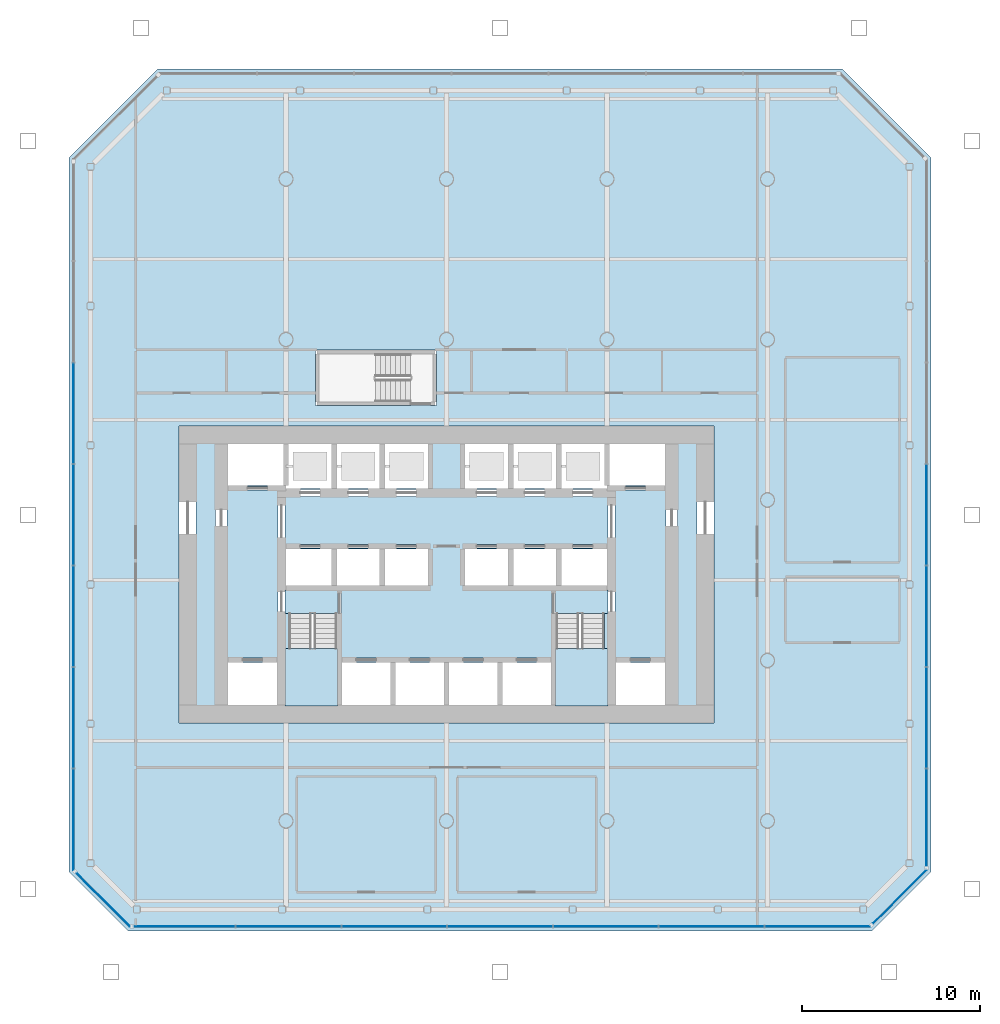
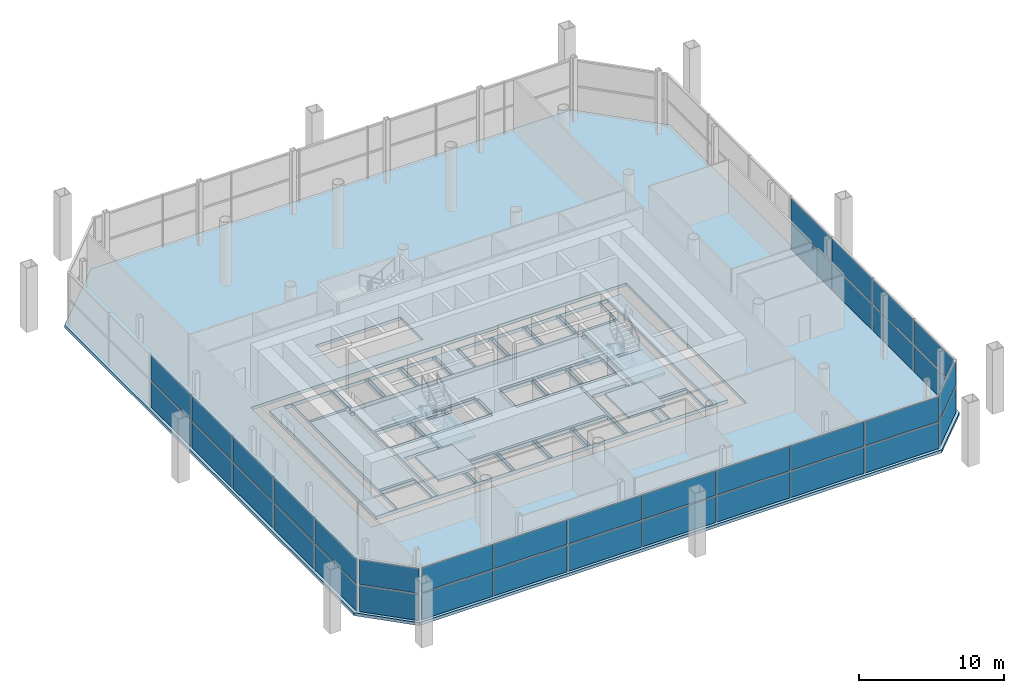
# One storey, part 7 of 13: 36 plates, 8 slabs, 7 elements without a shape of their own.
"""IFC4 building model written with IfcOpenShell, lengths in metres."""

from ifc_helpers import new_model, si_unit, direction, frame, origin, origin_2d, place, context, subcontext, project, spatial, polyline, rectangle, outline, extrude, material, layer, layer_set, type_object, element, aggregate, save


model = new_model("IFC4")

# Units and contexts
model_context = context("Model", 3, precision=1e-05, world=origin(), true_north=direction((0.0, 1.0)))
body_context = subcontext(model_context, "Body", "Model", "MODEL_VIEW")
ifc_project = project(units=[si_unit("LENGTHUNIT", "METRE"), si_unit("AREAUNIT", "SQUARE_METRE"), si_unit("VOLUMEUNIT", "CUBIC_METRE"), si_unit("PLANEANGLEUNIT", "RADIAN"), si_unit("MASSUNIT", "GRAM", prefix="KILO")], contexts=[model_context])

# Site, building, storey
site_placement = place(None, origin())
site = spatial("IfcSite", under=ifc_project, at=site_placement, CompositionType="ELEMENT")
building_placement = place(site_placement, origin())
building = spatial("IfcBuilding", under=site, at=building_placement, Name="Tskaro Facet Tower", CompositionType="ELEMENT")
storey_placement = place(building_placement, frame((0.0, 0.0, 108.89990234375)))
storey = spatial("IfcBuildingStorey", under=building, at=storey_placement, Name="L26", CompositionType="ELEMENT", Elevation=108.89990234375)

# Curtain wall, plates
ifc_material_1 = material(Name="Bronze anodised aluminium 6063-T6", Category="aluminium")
curtain_wall_type = type_object("IfcCurtainWallType", Name="Bronze sky lobby curtain wall (FW4)", PredefinedType="NOTDEFINED", material=ifc_material_1)
curtain_wall_1_placement = place(storey_placement, origin())
curtain_wall_1 = element("IfcCurtainWall", 1, at=curtain_wall_1_placement, inside=storey, type_object=curtain_wall_type, Name="FW4 south facet L26", PredefinedType="NOTDEFINED")
ifc_material_2 = material(Name="Clear low-iron glass", Category="glass")
ifc_layer_1 = layer(ifc_material_2, 0.0380859375, Name="Clear low-iron glass")
ifc_layer_set_1 = layer_set([ifc_layer_1], Name="Clear low-iron glass")
plate_type = type_object("IfcPlateType", Name="FW4 bronze-tinted unit glazing 38", PredefinedType="CURTAIN_PANEL", material=ifc_layer_set_1)
plate_1_placement = place(storey_placement, frame((-14.70166015625, -23.9150390625, 0.0), z_axis=(0.0, 0.0, 1.0), x_axis=(1.0, 0.0, 0.0)))
plate_1 = element("IfcPlate", 2, at=plate_1_placement, type_object=plate_type, Name="FW4 south glazing 1.1", PredefinedType="CURTAIN_PANEL", context=body_context, shape_type="SweptSolid", body=[
    extrude(rectangle(XDim=5.670654296875, YDim=0.0380859375, at=origin_2d()), origin(), (0.0, 0.0, 1.0), 2.18505859375),
])
plate_2_placement = place(storey_placement, frame((-14.70166015625, -23.9150390625, 2.30517578125), z_axis=(0.0, 0.0, 1.0), x_axis=(1.0, 0.0, 0.0)))
plate_2 = element("IfcPlate", 3, at=plate_2_placement, type_object=plate_type, Name="FW4 south glazing 1.2", PredefinedType="CURTAIN_PANEL", context=body_context, shape_type="SweptSolid", body=[
    extrude(rectangle(XDim=5.670654296875, YDim=0.0380859375, at=origin_2d()), origin(), (0.0, 0.0, 1.0), 2.06494140625),
])
plate_3_placement = place(storey_placement, frame((-8.861083984375, -23.9150390625, 0.0), z_axis=(0.0, 0.0, 1.0), x_axis=(1.0, 0.0, 0.0)))
plate_3 = element("IfcPlate", 4, at=plate_3_placement, type_object=plate_type, Name="FW4 south glazing 2.1", PredefinedType="CURTAIN_PANEL", context=body_context, shape_type="SweptSolid", body=[
    extrude(rectangle(XDim=5.8505859375, YDim=0.0380859375, at=origin_2d()), origin(), (0.0, 0.0, 1.0), 2.18505859375),
])
plate_4_placement = place(storey_placement, frame((-8.861083984375, -23.9150390625, 2.30517578125), z_axis=(0.0, 0.0, 1.0), x_axis=(1.0, 0.0, 0.0)))
plate_4 = element("IfcPlate", 5, at=plate_4_placement, type_object=plate_type, Name="FW4 south glazing 2.2", PredefinedType="CURTAIN_PANEL", context=body_context, shape_type="SweptSolid", body=[
    extrude(rectangle(XDim=5.8505859375, YDim=0.0380859375, at=origin_2d()), origin(), (0.0, 0.0, 1.0), 2.06494140625),
])
plate_5_placement = place(storey_placement, frame((-2.9306640625, -23.9150390625, 0.0), z_axis=(0.0, 0.0, 1.0), x_axis=(1.0, 0.0, 0.0)))
plate_5 = element("IfcPlate", 6, at=plate_5_placement, type_object=plate_type, Name="FW4 south glazing 3.1", PredefinedType="CURTAIN_PANEL", context=body_context, shape_type="SweptSolid", body=[
    extrude(rectangle(XDim=5.8505859375, YDim=0.0380859375, at=origin_2d()), origin(), (0.0, 0.0, 1.0), 2.18505859375),
])
plate_6_placement = place(storey_placement, frame((-2.9306640625, -23.9150390625, 2.30517578125), z_axis=(0.0, 0.0, 1.0), x_axis=(1.0, 0.0, 0.0)))
plate_6 = element("IfcPlate", 7, at=plate_6_placement, type_object=plate_type, Name="FW4 south glazing 3.2", PredefinedType="CURTAIN_PANEL", context=body_context, shape_type="SweptSolid", body=[
    extrude(rectangle(XDim=5.8505859375, YDim=0.0380859375, at=origin_2d()), origin(), (0.0, 0.0, 1.0), 2.06494140625),
])
plate_7_placement = place(storey_placement, frame((3.0, -23.9150390625, 0.0), z_axis=(0.0, 0.0, 1.0), x_axis=(1.0, 0.0, 0.0)))
plate_7 = element("IfcPlate", 8, at=plate_7_placement, type_object=plate_type, Name="FW4 south glazing 4.1", PredefinedType="CURTAIN_PANEL", context=body_context, shape_type="SweptSolid", body=[
    extrude(rectangle(XDim=5.8505859375, YDim=0.0380859375, at=origin_2d()), origin(), (0.0, 0.0, 1.0), 2.18505859375),
])
plate_8_placement = place(storey_placement, frame((3.0, -23.9150390625, 2.30517578125), z_axis=(0.0, 0.0, 1.0), x_axis=(1.0, 0.0, 0.0)))
plate_8 = element("IfcPlate", 9, at=plate_8_placement, type_object=plate_type, Name="FW4 south glazing 4.2", PredefinedType="CURTAIN_PANEL", context=body_context, shape_type="SweptSolid", body=[
    extrude(rectangle(XDim=5.8505859375, YDim=0.0380859375, at=origin_2d()), origin(), (0.0, 0.0, 1.0), 2.06494140625),
])
plate_9_placement = place(storey_placement, frame((8.9306640625, -23.9150390625, 0.0), z_axis=(0.0, 0.0, 1.0), x_axis=(1.0, 0.0, 0.0)))
plate_9 = element("IfcPlate", 10, at=plate_9_placement, type_object=plate_type, Name="FW4 south glazing 5.1", PredefinedType="CURTAIN_PANEL", context=body_context, shape_type="SweptSolid", body=[
    extrude(rectangle(XDim=5.8505859375, YDim=0.0380859375, at=origin_2d()), origin(), (0.0, 0.0, 1.0), 2.18505859375),
])
plate_10_placement = place(storey_placement, frame((8.9306640625, -23.9150390625, 2.30517578125), z_axis=(0.0, 0.0, 1.0), x_axis=(1.0, 0.0, 0.0)))
plate_10 = element("IfcPlate", 11, at=plate_10_placement, type_object=plate_type, Name="FW4 south glazing 5.2", PredefinedType="CURTAIN_PANEL", context=body_context, shape_type="SweptSolid", body=[
    extrude(rectangle(XDim=5.8505859375, YDim=0.0380859375, at=origin_2d()), origin(), (0.0, 0.0, 1.0), 2.06494140625),
])
plate_11_placement = place(storey_placement, frame((14.861083984375, -23.9150390625, 0.0), z_axis=(0.0, 0.0, 1.0), x_axis=(1.0, 0.0, 0.0)))
plate_11 = element("IfcPlate", 12, at=plate_11_placement, type_object=plate_type, Name="FW4 south glazing 6.1", PredefinedType="CURTAIN_PANEL", context=body_context, shape_type="SweptSolid", body=[
    extrude(rectangle(XDim=5.8505859375, YDim=0.0380859375, at=origin_2d()), origin(), (0.0, 0.0, 1.0), 2.18505859375),
])
plate_12_placement = place(storey_placement, frame((14.861083984375, -23.9150390625, 2.30517578125), z_axis=(0.0, 0.0, 1.0), x_axis=(1.0, 0.0, 0.0)))
plate_12 = element("IfcPlate", 13, at=plate_12_placement, type_object=plate_type, Name="FW4 south glazing 6.2", PredefinedType="CURTAIN_PANEL", context=body_context, shape_type="SweptSolid", body=[
    extrude(rectangle(XDim=5.8505859375, YDim=0.0380859375, at=origin_2d()), origin(), (0.0, 0.0, 1.0), 2.06494140625),
])
plate_13_placement = place(storey_placement, frame((20.811767578125, -23.9150390625, 0.0), z_axis=(0.0, 0.0, 1.0), x_axis=(1.0, 0.0, 0.0)))
plate_13 = element("IfcPlate", 14, at=plate_13_placement, type_object=plate_type, Name="FW4 south glazing 7.1", PredefinedType="CURTAIN_PANEL", context=body_context, shape_type="SweptSolid", body=[
    extrude(rectangle(XDim=5.890625, YDim=0.0380859375, at=origin_2d()), origin(), (0.0, 0.0, 1.0), 2.18505859375),
])
plate_14_placement = place(storey_placement, frame((20.811767578125, -23.9150390625, 2.30517578125), z_axis=(0.0, 0.0, 1.0), x_axis=(1.0, 0.0, 0.0)))
plate_14 = element("IfcPlate", 15, at=plate_14_placement, type_object=plate_type, Name="FW4 south glazing 7.2", PredefinedType="CURTAIN_PANEL", context=body_context, shape_type="SweptSolid", body=[
    extrude(rectangle(XDim=5.890625, YDim=0.0380859375, at=origin_2d()), origin(), (0.0, 0.0, 1.0), 2.06494140625),
])
aggregate(curtain_wall_1, [plate_1, plate_2, plate_3, plate_4, plate_5, plate_6, plate_7, plate_8, plate_9, plate_10, plate_11, plate_12, plate_13, plate_14])

curtain_wall_2_placement = place(storey_placement, origin())
curtain_wall_2 = element("IfcCurtainWall", 16, at=curtain_wall_2_placement, inside=storey, type_object=curtain_wall_type, Name="FW4 south-east facet L26", PredefinedType="NOTDEFINED")
plate_15_placement = place(storey_placement, frame((25.413818359375, -22.25830078125, 0.0), z_axis=(0.0, 0.0, 1.0), x_axis=(0.707106781187, 0.707106781187, 0.0)))
plate_15 = element("IfcPlate", 17, at=plate_15_placement, type_object=plate_type, Name="FW4 south-east glazing 1.1", PredefinedType="CURTAIN_PANEL", context=body_context, shape_type="SweptSolid", body=[
    extrude(rectangle(XDim=4.24609375, YDim=0.0380859375, at=origin_2d()), origin(), (0.0, 0.0, 1.0), 2.18505859375),
])
plate_16_placement = place(storey_placement, frame((25.413818359375, -22.25830078125, 2.30517578125), z_axis=(0.0, 0.0, 1.0), x_axis=(0.707106781187, 0.707106781187, 0.0)))
plate_16 = element("IfcPlate", 18, at=plate_16_placement, type_object=plate_type, Name="FW4 south-east glazing 1.2", PredefinedType="CURTAIN_PANEL", context=body_context, shape_type="SweptSolid", body=[
    extrude(rectangle(XDim=4.24609375, YDim=0.0380859375, at=origin_2d()), origin(), (0.0, 0.0, 1.0), 2.06494140625),
])
aggregate(curtain_wall_2, [plate_15, plate_16])

curtain_wall_3_placement = place(storey_placement, origin())
curtain_wall_3 = element("IfcCurtainWall", 19, at=curtain_wall_3_placement, inside=storey, type_object=curtain_wall_type, Name="FW4 east facet L26", PredefinedType="NOTDEFINED")
plate_17_placement = place(storey_placement, frame((26.9150390625, -17.8212890625, 0.0), z_axis=(0.0, 0.0, 1.0), x_axis=(0.0, 1.0, 0.0)))
plate_17 = element("IfcPlate", 20, at=plate_17_placement, type_object=plate_type, Name="FW4 east glazing 1.1", PredefinedType="CURTAIN_PANEL", context=body_context, shape_type="SweptSolid", body=[
    extrude(rectangle(XDim=5.431396484375, YDim=0.0380859375, at=origin_2d()), origin(), (0.0, 0.0, 1.0), 2.18505859375),
])
plate_18_placement = place(storey_placement, frame((26.9150390625, -17.8212890625, 2.30517578125), z_axis=(0.0, 0.0, 1.0), x_axis=(0.0, 1.0, 0.0)))
plate_18 = element("IfcPlate", 21, at=plate_18_placement, type_object=plate_type, Name="FW4 east glazing 1.2", PredefinedType="CURTAIN_PANEL", context=body_context, shape_type="SweptSolid", body=[
    extrude(rectangle(XDim=5.431396484375, YDim=0.0380859375, at=origin_2d()), origin(), (0.0, 0.0, 1.0), 2.06494140625),
])
plate_19_placement = place(storey_placement, frame((26.9150390625, -12.219970703125, 0.0), z_axis=(0.0, 0.0, 1.0), x_axis=(0.0, 1.0, 0.0)))
plate_19 = element("IfcPlate", 22, at=plate_19_placement, type_object=plate_type, Name="FW4 east glazing 2.1", PredefinedType="CURTAIN_PANEL", context=body_context, shape_type="SweptSolid", body=[
    extrude(rectangle(XDim=5.611328125, YDim=0.0380859375, at=origin_2d()), origin(), (0.0, 0.0, 1.0), 2.18505859375),
])
plate_20_placement = place(storey_placement, frame((26.9150390625, -12.219970703125, 2.30517578125), z_axis=(0.0, 0.0, 1.0), x_axis=(0.0, 1.0, 0.0)))
plate_20 = element("IfcPlate", 23, at=plate_20_placement, type_object=plate_type, Name="FW4 east glazing 2.2", PredefinedType="CURTAIN_PANEL", context=body_context, shape_type="SweptSolid", body=[
    extrude(rectangle(XDim=5.611328125, YDim=0.0380859375, at=origin_2d()), origin(), (0.0, 0.0, 1.0), 2.06494140625),
])
plate_21_placement = place(storey_placement, frame((26.9150390625, -6.5283203125, 0.0), z_axis=(0.0, 0.0, 1.0), x_axis=(0.0, 1.0, 0.0)))
plate_21 = element("IfcPlate", 24, at=plate_21_placement, type_object=plate_type, Name="FW4 east glazing 3.1", PredefinedType="CURTAIN_PANEL", context=body_context, shape_type="SweptSolid", body=[
    extrude(rectangle(XDim=5.611328125, YDim=0.0380859375, at=origin_2d()), origin(), (0.0, 0.0, 1.0), 2.18505859375),
])
plate_22_placement = place(storey_placement, frame((26.9150390625, -6.5283203125, 2.30517578125), z_axis=(0.0, 0.0, 1.0), x_axis=(0.0, 1.0, 0.0)))
plate_22 = element("IfcPlate", 25, at=plate_22_placement, type_object=plate_type, Name="FW4 east glazing 3.2", PredefinedType="CURTAIN_PANEL", context=body_context, shape_type="SweptSolid", body=[
    extrude(rectangle(XDim=5.611328125, YDim=0.0380859375, at=origin_2d()), origin(), (0.0, 0.0, 1.0), 2.06494140625),
])
plate_23_placement = place(storey_placement, frame((26.9150390625, -0.8369140625, 0.0), z_axis=(0.0, 0.0, 1.0), x_axis=(0.0, 1.0, 0.0)))
plate_23 = element("IfcPlate", 26, at=plate_23_placement, type_object=plate_type, Name="FW4 east glazing 4.1", PredefinedType="CURTAIN_PANEL", context=body_context, shape_type="SweptSolid", body=[
    extrude(rectangle(XDim=5.611328125, YDim=0.0380859375, at=origin_2d()), origin(), (0.0, 0.0, 1.0), 2.18505859375),
])
plate_24_placement = place(storey_placement, frame((26.9150390625, -0.8369140625, 2.30517578125), z_axis=(0.0, 0.0, 1.0), x_axis=(0.0, 1.0, 0.0)))
plate_24 = element("IfcPlate", 27, at=plate_24_placement, type_object=plate_type, Name="FW4 east glazing 4.2", PredefinedType="CURTAIN_PANEL", context=body_context, shape_type="SweptSolid", body=[
    extrude(rectangle(XDim=5.611328125, YDim=0.0380859375, at=origin_2d()), origin(), (0.0, 0.0, 1.0), 2.06494140625),
])
aggregate(curtain_wall_3, [plate_17, plate_18, plate_19, plate_20, plate_21, plate_22, plate_23, plate_24])

curtain_wall_4_placement = place(storey_placement, origin())
curtain_wall_4 = element("IfcCurtainWall", 28, at=curtain_wall_4_placement, inside=storey, type_object=curtain_wall_type, Name="FW4 west facet L26", PredefinedType="NOTDEFINED")
plate_25_placement = place(storey_placement, frame((-20.9150390625, 4.8544921875, 0.0), z_axis=(0.0, 0.0, 1.0), x_axis=(0.0, -1.0, 0.0)))
plate_25 = element("IfcPlate", 29, at=plate_25_placement, type_object=plate_type, Name="FW4 west glazing 3.1", PredefinedType="CURTAIN_PANEL", context=body_context, shape_type="SweptSolid", body=[
    extrude(rectangle(XDim=5.611328125, YDim=0.0380859375, at=origin_2d()), origin(), (0.0, 0.0, 1.0), 2.18505859375),
])
plate_26_placement = place(storey_placement, frame((-20.9150390625, 4.8544921875, 2.30517578125), z_axis=(0.0, 0.0, 1.0), x_axis=(0.0, -1.0, 0.0)))
plate_26 = element("IfcPlate", 30, at=plate_26_placement, type_object=plate_type, Name="FW4 west glazing 3.2", PredefinedType="CURTAIN_PANEL", context=body_context, shape_type="SweptSolid", body=[
    extrude(rectangle(XDim=5.611328125, YDim=0.0380859375, at=origin_2d()), origin(), (0.0, 0.0, 1.0), 2.06494140625),
])
plate_27_placement = place(storey_placement, frame((-20.9150390625, -0.8369140625, 0.0), z_axis=(0.0, 0.0, 1.0), x_axis=(0.0, -1.0, 0.0)))
plate_27 = element("IfcPlate", 31, at=plate_27_placement, type_object=plate_type, Name="FW4 west glazing 4.1", PredefinedType="CURTAIN_PANEL", context=body_context, shape_type="SweptSolid", body=[
    extrude(rectangle(XDim=5.611328125, YDim=0.0380859375, at=origin_2d()), origin(), (0.0, 0.0, 1.0), 2.18505859375),
])
plate_28_placement = place(storey_placement, frame((-20.9150390625, -0.8369140625, 2.30517578125), z_axis=(0.0, 0.0, 1.0), x_axis=(0.0, -1.0, 0.0)))
plate_28 = element("IfcPlate", 32, at=plate_28_placement, type_object=plate_type, Name="FW4 west glazing 4.2", PredefinedType="CURTAIN_PANEL", context=body_context, shape_type="SweptSolid", body=[
    extrude(rectangle(XDim=5.611328125, YDim=0.0380859375, at=origin_2d()), origin(), (0.0, 0.0, 1.0), 2.06494140625),
])
plate_29_placement = place(storey_placement, frame((-20.9150390625, -6.5283203125, 0.0), z_axis=(0.0, 0.0, 1.0), x_axis=(0.0, -1.0, 0.0)))
plate_29 = element("IfcPlate", 33, at=plate_29_placement, type_object=plate_type, Name="FW4 west glazing 5.1", PredefinedType="CURTAIN_PANEL", context=body_context, shape_type="SweptSolid", body=[
    extrude(rectangle(XDim=5.611328125, YDim=0.0380859375, at=origin_2d()), origin(), (0.0, 0.0, 1.0), 2.18505859375),
])
plate_30_placement = place(storey_placement, frame((-20.9150390625, -6.5283203125, 2.30517578125), z_axis=(0.0, 0.0, 1.0), x_axis=(0.0, -1.0, 0.0)))
plate_30 = element("IfcPlate", 34, at=plate_30_placement, type_object=plate_type, Name="FW4 west glazing 5.2", PredefinedType="CURTAIN_PANEL", context=body_context, shape_type="SweptSolid", body=[
    extrude(rectangle(XDim=5.611328125, YDim=0.0380859375, at=origin_2d()), origin(), (0.0, 0.0, 1.0), 2.06494140625),
])
plate_31_placement = place(storey_placement, frame((-20.9150390625, -12.219970703125, 0.0), z_axis=(0.0, 0.0, 1.0), x_axis=(0.0, -1.0, 0.0)))
plate_31 = element("IfcPlate", 35, at=plate_31_placement, type_object=plate_type, Name="FW4 west glazing 6.1", PredefinedType="CURTAIN_PANEL", context=body_context, shape_type="SweptSolid", body=[
    extrude(rectangle(XDim=5.611328125, YDim=0.0380859375, at=origin_2d()), origin(), (0.0, 0.0, 1.0), 2.18505859375),
])
plate_32_placement = place(storey_placement, frame((-20.9150390625, -12.219970703125, 2.30517578125), z_axis=(0.0, 0.0, 1.0), x_axis=(0.0, -1.0, 0.0)))
plate_32 = element("IfcPlate", 36, at=plate_32_placement, type_object=plate_type, Name="FW4 west glazing 6.2", PredefinedType="CURTAIN_PANEL", context=body_context, shape_type="SweptSolid", body=[
    extrude(rectangle(XDim=5.611328125, YDim=0.0380859375, at=origin_2d()), origin(), (0.0, 0.0, 1.0), 2.06494140625),
])
plate_33_placement = place(storey_placement, frame((-20.9150390625, -17.931396484375, 0.0), z_axis=(0.0, 0.0, 1.0), x_axis=(0.0, -1.0, 0.0)))
plate_33 = element("IfcPlate", 37, at=plate_33_placement, type_object=plate_type, Name="FW4 west glazing 7.1", PredefinedType="CURTAIN_PANEL", context=body_context, shape_type="SweptSolid", body=[
    extrude(rectangle(XDim=5.6513671875, YDim=0.0380859375, at=origin_2d()), origin(), (0.0, 0.0, 1.0), 2.18505859375),
])
plate_34_placement = place(storey_placement, frame((-20.9150390625, -17.931396484375, 2.30517578125), z_axis=(0.0, 0.0, 1.0), x_axis=(0.0, -1.0, 0.0)))
plate_34 = element("IfcPlate", 38, at=plate_34_placement, type_object=plate_type, Name="FW4 west glazing 7.2", PredefinedType="CURTAIN_PANEL", context=body_context, shape_type="SweptSolid", body=[
    extrude(rectangle(XDim=5.6513671875, YDim=0.0380859375, at=origin_2d()), origin(), (0.0, 0.0, 1.0), 2.06494140625),
])
aggregate(curtain_wall_4, [plate_25, plate_26, plate_27, plate_28, plate_29, plate_30, plate_31, plate_32, plate_33, plate_34])

curtain_wall_5_placement = place(storey_placement, origin())
curtain_wall_5 = element("IfcCurtainWall", 39, at=curtain_wall_5_placement, inside=storey, type_object=curtain_wall_type, Name="FW4 south-west facet L26", PredefinedType="NOTDEFINED")
plate_35_placement = place(storey_placement, frame((-19.25830078125, -22.413818359375, 0.0), z_axis=(0.0, 0.0, 1.0), x_axis=(0.707106781187, -0.707106781187, 0.0)))
plate_35 = element("IfcPlate", 40, at=plate_35_placement, type_object=plate_type, Name="FW4 south-west glazing 1.1", PredefinedType="CURTAIN_PANEL", context=body_context, shape_type="SweptSolid", body=[
    extrude(rectangle(XDim=4.24609375, YDim=0.0380859375, at=origin_2d()), origin(), (0.0, 0.0, 1.0), 2.18505859375),
])
plate_36_placement = place(storey_placement, frame((-19.25830078125, -22.413818359375, 2.30517578125), z_axis=(0.0, 0.0, 1.0), x_axis=(0.707106781187, -0.707106781187, 0.0)))
plate_36 = element("IfcPlate", 41, at=plate_36_placement, type_object=plate_type, Name="FW4 south-west glazing 1.2", PredefinedType="CURTAIN_PANEL", context=body_context, shape_type="SweptSolid", body=[
    extrude(rectangle(XDim=4.24609375, YDim=0.0380859375, at=origin_2d()), origin(), (0.0, 0.0, 1.0), 2.06494140625),
])
aggregate(curtain_wall_5, [plate_35, plate_36])

# Stair, slabs
ifc_material_3 = material(Name="Concrete C40/50", Category="concrete")
stair_type = type_object("IfcStairType", Name="ST-TWR", PredefinedType="HALF_TURN_STAIR", material=ifc_material_3)
stair_1_placement = place(storey_placement, origin())
stair_1 = element("IfcStair", 42, at=stair_1_placement, inside=storey, type_object=stair_type, Name="L26 Exit stair 1", PredefinedType="HALF_TURN_STAIR")
ifc_layer_2 = layer(ifc_material_3, 0.199951171875, Name="Concrete C40/50")
ifc_layer_set_2 = layer_set([ifc_layer_2], Name="Concrete C40/50")
slab_type_1 = type_object("IfcSlabType", Name="SL-LANDING", PredefinedType="LANDING", material=ifc_layer_set_2)
slab_1_placement = place(storey_placement, frame((0.0, 0.0, 1.150146484375)))
slab_1 = element("IfcSlab", 43, at=slab_1_placement, type_object=slab_type_1, Name="ST-1 landing 1", PredefinedType="LANDING", context=body_context, shape_type="SweptSolid", body=[
    extrude(outline(polyline([(-9.050048828125, -11.550048828125), (-6.10009765625, -11.550048828125), (-6.10009765625, -8.3349609375), (-9.050048828125, -8.3349609375), (-9.050048828125, -11.550048828125)])), origin(), (0.0, 0.0, 1.0), 0.199951171875),
])
slab_2_placement = place(storey_placement, frame((0.0, 0.0, 2.5)))
slab_2 = element("IfcSlab", 44, at=slab_2_placement, type_object=slab_type_1, Name="ST-1 landing 2", PredefinedType="LANDING", context=body_context, shape_type="SweptSolid", body=[
    extrude(outline(polyline([(-9.050048828125, -6.375), (-6.10009765625, -6.375), (-6.10009765625, -5.050048828125), (-9.050048828125, -5.050048828125), (-9.050048828125, -6.375)])), origin(), (0.0, 0.0, 1.0), 0.2001953125),
])
slab_3_placement = place(storey_placement, frame((0.0, 0.0, 3.85009765625)))
slab_3 = element("IfcSlab", 45, at=slab_3_placement, type_object=slab_type_1, Name="ST-1 landing 3", PredefinedType="LANDING", context=body_context, shape_type="SweptSolid", body=[
    extrude(outline(polyline([(-9.050048828125, -11.550048828125), (-6.10009765625, -11.550048828125), (-6.10009765625, -8.3349609375), (-9.050048828125, -8.3349609375), (-9.050048828125, -11.550048828125)])), origin(), (0.0, 0.0, 1.0), 0.199951171875),
])
aggregate(stair_1, [slab_1, slab_2, slab_3])

stair_2_placement = place(storey_placement, origin())
stair_2 = element("IfcStair", 46, at=stair_2_placement, inside=storey, type_object=stair_type, Name="L26 Exit stair 2", PredefinedType="HALF_TURN_STAIR")
slab_4_placement = place(storey_placement, frame((0.0, 0.0, 1.150146484375)))
slab_4 = element("IfcSlab", 47, at=slab_4_placement, type_object=slab_type_1, Name="ST-2 landing 1", PredefinedType="LANDING", context=body_context, shape_type="SweptSolid", body=[
    extrude(outline(polyline([(6.10009765625, -11.550048828125), (9.050048828125, -11.550048828125), (9.050048828125, -8.3349609375), (6.10009765625, -8.3349609375), (6.10009765625, -11.550048828125)])), origin(), (0.0, 0.0, 1.0), 0.199951171875),
])
slab_5_placement = place(storey_placement, frame((0.0, 0.0, 2.5)))
slab_5 = element("IfcSlab", 48, at=slab_5_placement, type_object=slab_type_1, Name="ST-2 landing 2", PredefinedType="LANDING", context=body_context, shape_type="SweptSolid", body=[
    extrude(outline(polyline([(6.10009765625, -6.375), (9.050048828125, -6.375), (9.050048828125, -5.050048828125), (6.10009765625, -5.050048828125), (6.10009765625, -6.375)])), origin(), (0.0, 0.0, 1.0), 0.2001953125),
])
slab_6_placement = place(storey_placement, frame((0.0, 0.0, 3.85009765625)))
slab_6 = element("IfcSlab", 49, at=slab_6_placement, type_object=slab_type_1, Name="ST-2 landing 3", PredefinedType="LANDING", context=body_context, shape_type="SweptSolid", body=[
    extrude(outline(polyline([(6.10009765625, -11.550048828125), (9.050048828125, -11.550048828125), (9.050048828125, -8.3349609375), (6.10009765625, -8.3349609375), (6.10009765625, -11.550048828125)])), origin(), (0.0, 0.0, 1.0), 0.199951171875),
])
aggregate(stair_2, [slab_4, slab_5, slab_6])

# Slabs
ifc_material_4 = material(Name="Concrete C60/75", Category="concrete")
ifc_layer_3 = layer(ifc_material_4, 0.300048828125, Name="Concrete C60/75")
ifc_layer_set_3 = layer_set([ifc_layer_3], Name="Concrete C60/75")
slab_type_2 = type_object("IfcSlabType", Name="SLAB-CORE", PredefinedType="FLOOR", material=ifc_layer_set_3)
slab_7_placement = place(storey_placement, frame((0.0, 0.0, -0.2998046875)))
element("IfcSlab", 50, at=slab_7_placement, inside=storey, type_object=slab_type_2, Name="Core floor slab 1", PredefinedType="FLOOR", context=body_context, shape_type="SweptSolid", body=[
    extrude(outline(polyline([(-14.050048828125, 3.199951171875), (14.050048828125, 3.199951171875), (14.050048828125, 3.10009765625), (14.050048828125, -11.449951171875), (14.050048828125, -11.550048828125), (-14.050048828125, -11.550048828125), (-14.050048828125, -11.449951171875), (-14.050048828125, 3.10009765625), (-14.050048828125, 3.199951171875)]), holes=[polyline([(-5.85009765625, -9.10009765625), (-5.85009765625, -11.5), (-3.14990234375, -11.5), (-3.14990234375, -9.10009765625), (-5.85009765625, -9.10009765625)]), polyline([(-9.5, -11.5), (-9.5, -9.10009765625), (-12.25, -9.10009765625), (-12.25, -11.5), (-9.5, -11.5)]), polyline([(-12.199951171875, -8.85009765625), (-12.199951171875, -9.050048828125), (-9.550048828125, -9.050048828125), (-9.550048828125, -8.85009765625), (-12.199951171875, -8.85009765625)]), polyline([(-6.10009765625, -5.14990234375), (-6.10009765625, -11.449951171875), (-5.89990234375, -11.449951171875), (-5.89990234375, -5.14990234375), (-6.10009765625, -5.14990234375)]), polyline([(-9.449951171875, 0.10009765625), (-9.449951171875, -11.449951171875), (-9.050048828125, -11.449951171875), (-9.050048828125, 0.10009765625), (-9.449951171875, 0.10009765625)]), polyline([(-8.949951171875, -4.85009765625), (-8.949951171875, -5.050048828125), (-0.949951171875, -5.050048828125), (-0.949951171875, -4.85009765625), (-8.949951171875, -4.85009765625)]), polyline([(-12.949951171875, 3.10009765625), (-12.949951171875, -11.449951171875), (-12.300048828125, -11.449951171875), (-12.300048828125, 3.10009765625), (-12.949951171875, 3.10009765625)]), polyline([(-6.449951171875, -4.800048828125), (-6.449951171875, -2.75), (-9.0, -2.75), (-9.0, -4.800048828125), (-6.449951171875, -4.800048828125)]), polyline([(-6.39990234375, -2.800048828125), (-6.39990234375, -4.75), (-6.199951171875, -4.75), (-6.199951171875, -2.800048828125), (-6.39990234375, -2.800048828125)]), polyline([(-6.14990234375, -4.800048828125), (-3.75, -4.800048828125), (-3.75, -2.75), (-6.14990234375, -2.75), (-6.14990234375, -4.800048828125)]), polyline([(-8.949951171875, -2.5), (-8.949951171875, -2.699951171875), (-0.949951171875, -2.699951171875), (-0.949951171875, -2.5), (-8.949951171875, -2.5)]), polyline([(9.449951171875, 0.199951171875), (9.449951171875, 0.550048828125), (12.199951171875, 0.550048828125), (12.199951171875, 0.75), (9.050048828125, 0.75), (9.050048828125, 0.60009765625), (-9.050048828125, 0.60009765625), (-9.050048828125, 0.75), (-12.199951171875, 0.75), (-12.199951171875, 0.550048828125), (-9.449951171875, 0.550048828125), (-9.449951171875, 0.199951171875), (9.449951171875, 0.199951171875)]), polyline([(-8.85009765625, 3.14990234375), (-8.85009765625, 0.800048828125), (-9.0, 0.800048828125), (-9.0, 0.64990234375), (-6.449951171875, 0.64990234375), (-6.449951171875, 3.14990234375), (-8.85009765625, 3.14990234375)]), polyline([(-6.14990234375, 0.64990234375), (-3.75, 0.64990234375), (-3.75, 3.14990234375), (-6.14990234375, 3.14990234375), (-6.14990234375, 0.64990234375)]), polyline([(-6.39990234375, 3.10009765625), (-6.39990234375, 0.699951171875), (-6.199951171875, 0.699951171875), (-6.199951171875, 3.10009765625), (-6.39990234375, 3.10009765625)]), polyline([(-9.10009765625, 3.10009765625), (-9.10009765625, 0.85009765625), (-8.89990234375, 0.85009765625), (-8.89990234375, 3.10009765625), (-9.10009765625, 3.10009765625)]), polyline([(-9.14990234375, 0.800048828125), (-9.14990234375, 3.14990234375), (-12.25, 3.14990234375), (-12.25, 0.800048828125), (-9.14990234375, 0.800048828125)]), polyline([(2.89990234375, -9.14990234375), (2.89990234375, -11.449951171875), (3.10009765625, -11.449951171875), (3.10009765625, -9.14990234375), (2.89990234375, -9.14990234375)]), polyline([(-3.10009765625, -9.14990234375), (-3.10009765625, -11.449951171875), (-2.89990234375, -11.449951171875), (-2.89990234375, -9.14990234375), (-3.10009765625, -9.14990234375)]), polyline([(2.85009765625, -9.10009765625), (0.14990234375, -9.10009765625), (0.14990234375, -11.5), (2.85009765625, -11.5), (2.85009765625, -9.10009765625)]), polyline([(-0.14990234375, -9.10009765625), (-2.85009765625, -9.10009765625), (-2.85009765625, -11.5), (-0.14990234375, -11.5), (-0.14990234375, -9.10009765625)]), polyline([(-0.10009765625, -9.14990234375), (-0.10009765625, -11.449951171875), (0.10009765625, -11.449951171875), (0.10009765625, -9.14990234375), (-0.10009765625, -9.14990234375)]), polyline([(-5.800048828125, -8.85009765625), (-5.800048828125, -9.050048828125), (5.800048828125, -9.050048828125), (5.800048828125, -8.85009765625), (-5.800048828125, -8.85009765625)]), polyline([(-1.0, -2.800048828125), (-1.0, -4.75), (-0.800048828125, -4.75), (-0.800048828125, -2.800048828125), (-1.0, -2.800048828125)]), polyline([(-3.699951171875, -2.800048828125), (-3.699951171875, -4.75), (-3.5, -4.75), (-3.5, -2.800048828125), (-3.699951171875, -2.800048828125)]), polyline([(-3.449951171875, -4.800048828125), (-1.050048828125, -4.800048828125), (-1.050048828125, -2.75), (-3.449951171875, -2.75), (-3.449951171875, -4.800048828125)]), polyline([(0.800048828125, -4.75), (1.0, -4.75), (1.0, -2.800048828125), (0.800048828125, -2.800048828125), (0.800048828125, -4.75)]), polyline([(3.449951171875, -2.75), (1.050048828125, -2.75), (1.050048828125, -4.800048828125), (3.449951171875, -4.800048828125), (3.449951171875, -2.75)]), polyline([(-3.449951171875, 0.64990234375), (-1.050048828125, 0.64990234375), (-1.050048828125, 3.14990234375), (-3.449951171875, 3.14990234375), (-3.449951171875, 0.64990234375)]), polyline([(1.050048828125, 0.64990234375), (3.449951171875, 0.64990234375), (3.449951171875, 3.14990234375), (1.050048828125, 3.14990234375), (1.050048828125, 0.64990234375)]), polyline([(-1.0, 3.10009765625), (-1.0, 0.699951171875), (-0.800048828125, 0.699951171875), (-0.800048828125, 3.10009765625), (-1.0, 3.10009765625)]), polyline([(0.800048828125, 3.10009765625), (0.800048828125, 0.699951171875), (1.0, 0.699951171875), (1.0, 3.10009765625), (0.800048828125, 3.10009765625)]), polyline([(-3.699951171875, 3.10009765625), (-3.699951171875, 0.699951171875), (-3.5, 0.699951171875), (-3.5, 3.10009765625), (-3.699951171875, 3.10009765625)]), polyline([(5.85009765625, -9.10009765625), (3.14990234375, -9.10009765625), (3.14990234375, -11.5), (5.85009765625, -11.5), (5.85009765625, -9.10009765625)]), polyline([(12.25, -11.5), (12.25, -9.10009765625), (9.5, -9.10009765625), (9.5, -11.5), (12.25, -11.5)]), polyline([(9.550048828125, -8.85009765625), (9.550048828125, -9.050048828125), (12.199951171875, -9.050048828125), (12.199951171875, -8.85009765625), (9.550048828125, -8.85009765625)]), polyline([(5.89990234375, -5.14990234375), (5.89990234375, -11.449951171875), (6.10009765625, -11.449951171875), (6.10009765625, -5.14990234375), (5.89990234375, -5.14990234375)]), polyline([(9.050048828125, 0.10009765625), (9.050048828125, -11.449951171875), (9.449951171875, -11.449951171875), (9.449951171875, 0.10009765625), (9.050048828125, 0.10009765625)]), polyline([(0.949951171875, -4.85009765625), (0.949951171875, -5.050048828125), (8.949951171875, -5.050048828125), (8.949951171875, -4.85009765625), (0.949951171875, -4.85009765625)]), polyline([(12.300048828125, 3.10009765625), (12.300048828125, -11.449951171875), (12.949951171875, -11.449951171875), (12.949951171875, 3.10009765625), (12.300048828125, 3.10009765625)]), polyline([(3.5, -2.800048828125), (3.5, -4.75), (3.699951171875, -4.75), (3.699951171875, -2.800048828125), (3.5, -2.800048828125)]), polyline([(6.449951171875, -2.75), (6.449951171875, -4.800048828125), (9.0, -4.800048828125), (9.0, -2.75), (6.449951171875, -2.75)]), polyline([(6.199951171875, -2.800048828125), (6.199951171875, -4.75), (6.39990234375, -4.75), (6.39990234375, -2.800048828125), (6.199951171875, -2.800048828125)]), polyline([(6.14990234375, -2.75), (3.75, -2.75), (3.75, -4.800048828125), (6.14990234375, -4.800048828125), (6.14990234375, -2.75)]), polyline([(0.949951171875, -2.5), (0.949951171875, -2.699951171875), (8.949951171875, -2.699951171875), (8.949951171875, -2.5), (0.949951171875, -2.5)]), polyline([(9.0, 0.800048828125), (8.85009765625, 0.800048828125), (8.85009765625, 3.14990234375), (6.449951171875, 3.14990234375), (6.449951171875, 0.64990234375), (9.0, 0.64990234375), (9.0, 0.800048828125)]), polyline([(3.75, 0.64990234375), (6.14990234375, 0.64990234375), (6.14990234375, 3.14990234375), (3.75, 3.14990234375), (3.75, 0.64990234375)]), polyline([(6.199951171875, 3.10009765625), (6.199951171875, 0.699951171875), (6.39990234375, 0.699951171875), (6.39990234375, 3.10009765625), (6.199951171875, 3.10009765625)]), polyline([(3.5, 3.10009765625), (3.5, 0.699951171875), (3.699951171875, 0.699951171875), (3.699951171875, 3.10009765625), (3.5, 3.10009765625)]), polyline([(8.89990234375, 3.10009765625), (8.89990234375, 0.85009765625), (9.10009765625, 0.85009765625), (9.10009765625, 3.10009765625), (8.89990234375, 3.10009765625)]), polyline([(9.14990234375, 0.800048828125), (12.25, 0.800048828125), (12.25, 3.14990234375), (9.14990234375, 3.14990234375), (9.14990234375, 0.800048828125)]), polyline([(-8.85009765625, -11.5), (-6.14990234375, -11.5), (-6.14990234375, -6.39501953125), (-8.85009765625, -6.39501953125), (-8.85009765625, -11.5)]), polyline([(6.14990234375, -6.39501953125), (6.14990234375, -11.5), (8.85009765625, -11.5), (8.85009765625, -6.39501953125), (6.14990234375, -6.39501953125)])]), origin(), (0.0, 0.0, 1.0), 0.2998046875),
])
ifc_material_5 = material(Name="Concrete C35/45", Category="concrete")
ifc_layer_4 = layer(ifc_material_5, 0.25, Name="Concrete C35/45")
ifc_layer_set_4 = layer_set([ifc_layer_4], Name="Concrete C35/45")
slab_type_3 = type_object("IfcSlabType", Name="Transition floor slab", PredefinedType="FLOOR", material=ifc_layer_set_4)
slab_8_placement = place(storey_placement, frame((0.0, 0.0, -0.25)))
element("IfcSlab", 51, at=slab_8_placement, inside=storey, type_object=slab_type_3, Name="Floor slab FS4 L26", PredefinedType="FLOOR", context=body_context, shape_type="SweptSolid", body=[
    extrude(outline(polyline([(-17.861083984375, -24.1650390625), (23.861083984375, -24.1650390625), (27.1650390625, -20.861083984375), (27.1650390625, 19.18701171875), (22.18701171875, 24.1650390625), (-16.18701171875, 24.1650390625), (-21.1650390625, 19.18701171875), (-21.1650390625, -20.861083984375), (-17.861083984375, -24.1650390625)]), holes=[polyline([(-15.0, -12.5), (15.0, -12.5), (15.0, 4.14990234375), (-15.0, 4.14990234375), (-15.0, -12.5)]), polyline([(-7.35009765625, 5.300048828125), (-0.550048828125, 5.300048828125), (-0.550048828125, 8.39990234375), (-7.35009765625, 8.39990234375), (-7.35009765625, 5.300048828125)])]), origin(), (0.0, 0.0, 1.0), 0.25),
])

save(model, "model.ifc")
